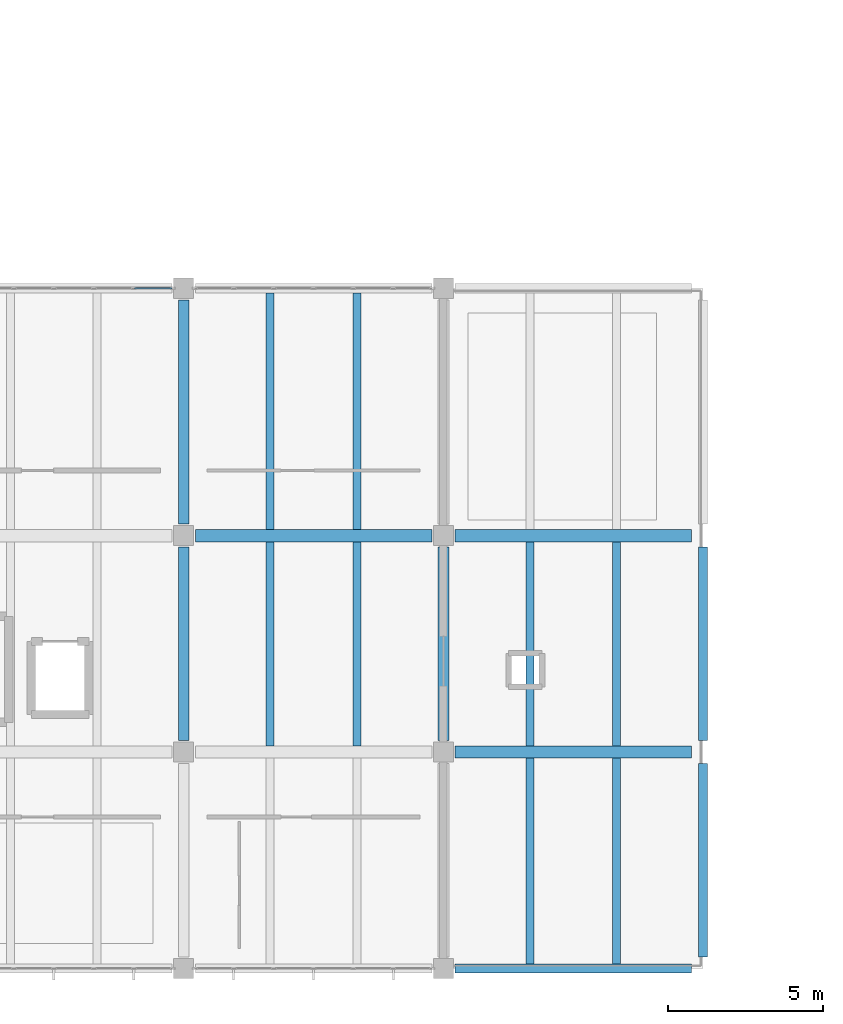
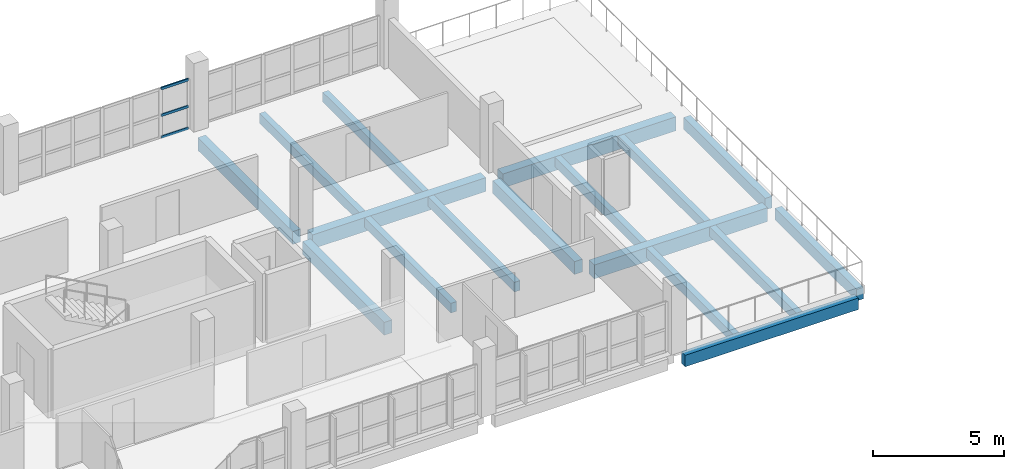
# One storey, part 16 of 33: 17 beams, 3 members, 1 element without a shape of its own.
"""IFC4 building model written with IfcOpenShell, lengths in metres."""

from ifc_helpers import new_model, si_unit, direction, frame, origin, origin_2d, place, context, subcontext, project, spatial, rectangle, hollow_rectangle, extrude, material, layer, layer_set, material_profile, profile_set, type_object, element, aggregate, save


model = new_model("IFC4")

# Units and contexts
model_context = context("Model", 3, precision=1e-05, world=origin(), true_north=direction((0.0, 1.0)))
body_context = subcontext(model_context, "Body", "Model", "MODEL_VIEW")
ifc_project = project(units=[si_unit("LENGTHUNIT", "METRE"), si_unit("AREAUNIT", "SQUARE_METRE"), si_unit("VOLUMEUNIT", "CUBIC_METRE"), si_unit("PLANEANGLEUNIT", "RADIAN"), si_unit("MASSUNIT", "GRAM", prefix="KILO"), si_unit("THERMODYNAMICTEMPERATUREUNIT", "KELVIN"), si_unit("POWERUNIT", "WATT")], contexts=[model_context])

# Site, building, storey
site_placement = place(None, origin())
site = spatial("IfcSite", under=ifc_project, at=site_placement, CompositionType="ELEMENT")
building_placement = place(site_placement, origin())
building = spatial("IfcBuilding", under=site, at=building_placement, Name="Mavoryth Pier Ferry Terminal", CompositionType="ELEMENT")
storey_placement = place(building_placement, frame((0.0, 0.0, 13.1201171875)))
storey = spatial("IfcBuildingStorey", under=building, at=storey_placement, Name="L03", CompositionType="ELEMENT", Elevation=13.1201171875)

# Beams
ifc_material_1 = material(Name="Concrete C35/45", Category="concrete")
ifc_material_profile_1 = material_profile(ifc_material_1, rectangle(XDim=0.35009765625, YDim=0.60009765625, at=origin_2d()), Name="RC 350x600", Category="concrete")
ifc_profile_set_1 = profile_set([ifc_material_profile_1], Name="Concrete C35/45 - RC 350x600")
beam_type_1 = type_object("IfcBeamType", Name="Girder-RC-350x600", PredefinedType="BEAM", material=ifc_profile_set_1)
beam_1_placement = place(storey_placement, frame((75.60009765625, 7.375, -0.56005859375), z_axis=(0.0, 1.0, 0.0), x_axis=(-1.0, 0.0, 0.0)))
element("IfcBeam", 1, at=beam_1_placement, inside=storey, type_object=beam_type_1, Name="Beam B03-BG08-1270", PredefinedType="BEAM", context=body_context, shape_type="SweptSolid", body=[
    extrude(rectangle(XDim=0.35009765625, YDim=0.60009765625, at=origin_2d()), origin(), (0.0, 0.0, 1.0), 6.25),
])
beam_2_placement = place(storey_placement, frame((75.60009765625, 14.375, -0.56005859375), z_axis=(0.0, 1.0, 0.0), x_axis=(-1.0, 0.0, 0.0)))
element("IfcBeam", 2, at=beam_2_placement, inside=storey, type_object=beam_type_1, Name="Beam B03-BG08-1271", PredefinedType="BEAM", context=body_context, shape_type="SweptSolid", body=[
    extrude(rectangle(XDim=0.35009765625, YDim=0.60009765625, at=origin_2d()), origin(), (0.0, 0.0, 1.0), 7.25),
])
beam_3_placement = place(storey_placement, frame((84.0, 7.375, -0.66015625), z_axis=(0.0, 1.0, 0.0), x_axis=(-1.0, 0.0, 0.0)))
element("IfcBeam", 3, at=beam_3_placement, inside=storey, type_object=beam_type_1, Name="Beam B03-BG08-1273", PredefinedType="BEAM", context=body_context, shape_type="SweptSolid", body=[
    extrude(rectangle(XDim=0.35009765625, YDim=0.60009765625, at=origin_2d()), origin(), (0.0, 0.0, 1.0), 6.25),
])
ifc_material_profile_2 = material_profile(ifc_material_1, rectangle(XDim=0.39990234375, YDim=0.64990234375, at=origin_2d()), Name="RC 400x650", Category="concrete")
ifc_profile_set_2 = profile_set([ifc_material_profile_2], Name="Concrete C35/45 - RC 400x650")
beam_type_2 = type_object("IfcBeamType", Name="Girder-RC-400x650", PredefinedType="BEAM", material=ifc_profile_set_2)
for number, where, z_axis, x_axis, name in (
    (4, (84.375, 7.0, -0.68505859375), (1.0, 0.0, 0.0), (0.0, 1.0, 0.0), "Beam B03-BG05-1244"),
    (5, (75.97509765625, 14.0, -0.585205078125), (1.0, 0.0, 0.0), (0.0, 1.0, 0.0), "Beam B03-BG05-1249"),
    (6, (84.375, 14.0, -0.68505859375), (1.0, 0.0, 0.0), (0.0, 1.0, 0.0), "Beam B03-BG05-1250"),
):
    element("IfcBeam", number, at=place(storey_placement, frame(where, z_axis=z_axis, x_axis=x_axis)), inside=storey, type_object=beam_type_2, Name=name, PredefinedType="BEAM", context=body_context, shape_type="SweptSolid", body=[
        extrude(rectangle(XDim=0.39990234375, YDim=0.64990234375, at=origin_2d()), origin(), (0.0, 0.0, 1.0), 7.64990234375),
    ])
ifc_material_profile_3 = material_profile(ifc_material_1, rectangle(XDim=0.260009765625, YDim=0.449951171875, at=origin_2d()), Name="RC 260x450", Category="concrete")
ifc_profile_set_3 = profile_set([ifc_material_profile_3], Name="Concrete C35/45 - RC 260x450")
beam_type_3 = type_object("IfcBeamType", Name="Joist-RC-260x450", PredefinedType="JOIST", material=ifc_profile_set_3)
for number, where, z_axis, x_axis, name in (
    (7, (78.39990234375, 7.199951171875, -0.485107421875), (0.0, 1.0, 0.0), (-1.0, 0.0, 0.0), "Beam B03-BJ03-1300"),
    (8, (81.199951171875, 7.199951171875, -0.485107421875), (0.0, 1.0, 0.0), (-1.0, 0.0, 0.0), "Beam B03-BJ03-1301"),
):
    element("IfcBeam", number, at=place(storey_placement, frame(where, z_axis=z_axis, x_axis=x_axis)), inside=storey, type_object=beam_type_3, Name=name, PredefinedType="JOIST", context=body_context, shape_type="SweptSolid", body=[
        extrude(rectangle(XDim=0.260009765625, YDim=0.449951171875, at=origin_2d()), origin(), (0.0, 0.0, 1.0), 6.60009765625),
    ])
for number, where, z_axis, x_axis, name in (
    (9, (78.39990234375, 14.199951171875, -0.485107421875), (0.0, 1.0, 0.0), (-1.0, 0.0, 0.0), "Beam B03-BJ03-1302"),
    (10, (81.199951171875, 14.199951171875, -0.485107421875), (0.0, 1.0, 0.0), (-1.0, 0.0, 0.0), "Beam B03-BJ03-1303"),
):
    element("IfcBeam", number, at=place(storey_placement, frame(where, z_axis=z_axis, x_axis=x_axis)), inside=storey, type_object=beam_type_3, Name=name, PredefinedType="JOIST", context=body_context, shape_type="SweptSolid", body=[
        extrude(rectangle(XDim=0.260009765625, YDim=0.449951171875, at=origin_2d()), origin(), (0.0, 0.0, 1.0), 7.650146484375),
    ])
for number, where, z_axis, x_axis, name in (
    (11, (86.800048828125, 0.14990234375, -0.585205078125), (0.0, 1.0, 0.0), (-1.0, 0.0, 0.0), "Beam B03-BJ03-1304"),
    (12, (89.60009765625, 0.14990234375, -0.585205078125), (0.0, 1.0, 0.0), (-1.0, 0.0, 0.0), "Beam B03-BJ03-1305"),
):
    element("IfcBeam", number, at=place(storey_placement, frame(where, z_axis=z_axis, x_axis=x_axis)), inside=storey, type_object=beam_type_3, Name=name, PredefinedType="JOIST", context=body_context, shape_type="SweptSolid", body=[
        extrude(rectangle(XDim=0.260009765625, YDim=0.449951171875, at=origin_2d()), origin(), (0.0, 0.0, 1.0), 6.650146484375),
    ])
for number, where, z_axis, x_axis, name in (
    (13, (86.800048828125, 7.199951171875, -0.585205078125), (0.0, 1.0, 0.0), (-1.0, 0.0, 0.0), "Beam B03-BJ03-1306"),
    (14, (89.60009765625, 7.199951171875, -0.585205078125), (0.0, 1.0, 0.0), (-1.0, 0.0, 0.0), "Beam B03-BJ03-1307"),
):
    element("IfcBeam", number, at=place(storey_placement, frame(where, z_axis=z_axis, x_axis=x_axis)), inside=storey, type_object=beam_type_3, Name=name, PredefinedType="JOIST", context=body_context, shape_type="SweptSolid", body=[
        extrude(rectangle(XDim=0.260009765625, YDim=0.449951171875, at=origin_2d()), origin(), (0.0, 0.0, 1.0), 6.60009765625),
    ])
ifc_material_profile_4 = material_profile(ifc_material_1, rectangle(XDim=0.300048828125, YDim=0.5400390625, at=origin_2d()), Name="RC 300x540", Category="concrete")
ifc_profile_set_4 = profile_set([ifc_material_profile_4], Name="Concrete C35/45 - RC 300x540")
beam_type_4 = type_object("IfcBeamType", Name="Spandrel-RC-300x540", PredefinedType="SPANDREL", material=ifc_profile_set_4)
beam_4_placement = place(storey_placement, frame((84.375, 0.0, -0.630126953125), z_axis=(1.0, 0.0, 0.0), x_axis=(0.0, 1.0, 0.0)))
element("IfcBeam", 15, at=beam_4_placement, inside=storey, type_object=beam_type_4, Name="Beam B03-SP02-1238", PredefinedType="SPANDREL", context=body_context, shape_type="SweptSolid", body=[
    extrude(rectangle(XDim=0.300048828125, YDim=0.5400390625, at=origin_2d()), origin(), (0.0, 0.0, 1.0), 7.64990234375),
])
for number, where, z_axis, x_axis, name in (
    (16, (92.39990234375, 0.375, -0.630126953125), (0.0, 1.0, 0.0), (-1.0, 0.0, 0.0), "Beam B03-SP02-1275"),
    (17, (92.39990234375, 7.375, -0.630126953125), (0.0, 1.0, 0.0), (-1.0, 0.0, 0.0), "Beam B03-SP02-1276"),
):
    element("IfcBeam", number, at=place(storey_placement, frame(where, z_axis=z_axis, x_axis=x_axis)), inside=storey, type_object=beam_type_4, Name=name, PredefinedType="SPANDREL", context=body_context, shape_type="SweptSolid", body=[
        extrude(rectangle(XDim=0.300048828125, YDim=0.5400390625, at=origin_2d()), origin(), (0.0, 0.0, 1.0), 6.25),
    ])

# Curtain wall, members
ifc_material_2 = material(Name="Anodised Aluminium and Solar-Control Low-E Glass", Category="aluminium")
ifc_layer = layer(ifc_material_2, 0.239990234375, Name="Anodised Aluminium and Solar-Control Low-E Glass", Category="aluminium")
ifc_layer_set = layer_set([ifc_layer], Name="Anodised Aluminium and Solar-Control Low-E Glass - CW-Operations-Mod1200")
curtain_wall_type = type_object("IfcCurtainWallType", Name="CW-Operations-Mod1200", PredefinedType="USERDEFINED", material=ifc_layer_set)
curtain_wall_placement = place(storey_placement, origin())
curtain_wall = element("IfcCurtainWall", 18, at=curtain_wall_placement, inside=storey, type_object=curtain_wall_type, Name="Curtain Wall CW-0322-143", ObjectType="UNITISED CURTAIN WALL", PredefinedType="USERDEFINED")
ifc_material_3 = material(Name="Anodised Aluminium EN AW-6063", Category="aluminium")
ifc_material_profile_5 = material_profile(ifc_material_3, hollow_rectangle(XDim=0.06005859375, YDim=0.125, WallThickness=0.00390625, InnerFilletRadius=0.00390625, OuterFilletRadius=0.008056640625, at=origin_2d()), Name="AL-TRAN 125x60x4", Category="aluminium")
ifc_profile_set_5 = profile_set([ifc_material_profile_5], Name="Anodised Aluminium EN AW-6063 - AL-TRAN 125x60x4")
member_type = type_object("IfcMemberType", Name="Transom-Alum-125x60", PredefinedType="USERDEFINED", material=ifc_profile_set_5)
member_1_placement = place(storey_placement, frame((75.215087890625, 22.0, 0.02978515625), z_axis=(-1.0, 0.0, 0.0), x_axis=(0.0, -1.0, 0.0)))
member_1 = element("IfcMember", 19, at=member_1_placement, type_object=member_type, Name="CW06 transom 1.1", ObjectType="TRANSOM", PredefinedType="USERDEFINED", context=body_context, shape_type="SweptSolid", body=[
    extrude(hollow_rectangle(XDim=0.06005859375, YDim=0.125, WallThickness=0.00390625, InnerFilletRadius=0.00390625, OuterFilletRadius=0.008056640625, at=origin_2d()), origin(), (0.0, 0.0, 1.0), 1.20166015625),
])
member_2_placement = place(storey_placement, frame((75.215087890625, 22.0, 1.0498046875), z_axis=(-1.0, 0.0, 0.0), x_axis=(0.0, -1.0, 0.0)))
member_2 = element("IfcMember", 20, at=member_2_placement, type_object=member_type, Name="CW06 transom 1.2", ObjectType="TRANSOM", PredefinedType="USERDEFINED", context=body_context, shape_type="SweptSolid", body=[
    extrude(hollow_rectangle(XDim=0.06005859375, YDim=0.125, WallThickness=0.00390625, InnerFilletRadius=0.00390625, OuterFilletRadius=0.008056640625, at=origin_2d()), origin(), (0.0, 0.0, 1.0), 1.20166015625),
])
member_3_placement = place(storey_placement, frame((75.215087890625, 22.0, 2.294921875), z_axis=(-1.0, 0.0, 0.0), x_axis=(0.0, -1.0, 0.0)))
member_3 = element("IfcMember", 21, at=member_3_placement, type_object=member_type, Name="CW06 transom 1.3", ObjectType="TRANSOM", PredefinedType="USERDEFINED", context=body_context, shape_type="SweptSolid", body=[
    extrude(hollow_rectangle(XDim=0.06005859375, YDim=0.125, WallThickness=0.00390625, InnerFilletRadius=0.00390625, OuterFilletRadius=0.008056640625, at=origin_2d()), origin(), (0.0, 0.0, 1.0), 1.20166015625),
])
aggregate(curtain_wall, [member_1, member_2, member_3])

save(model, "model.ifc")
